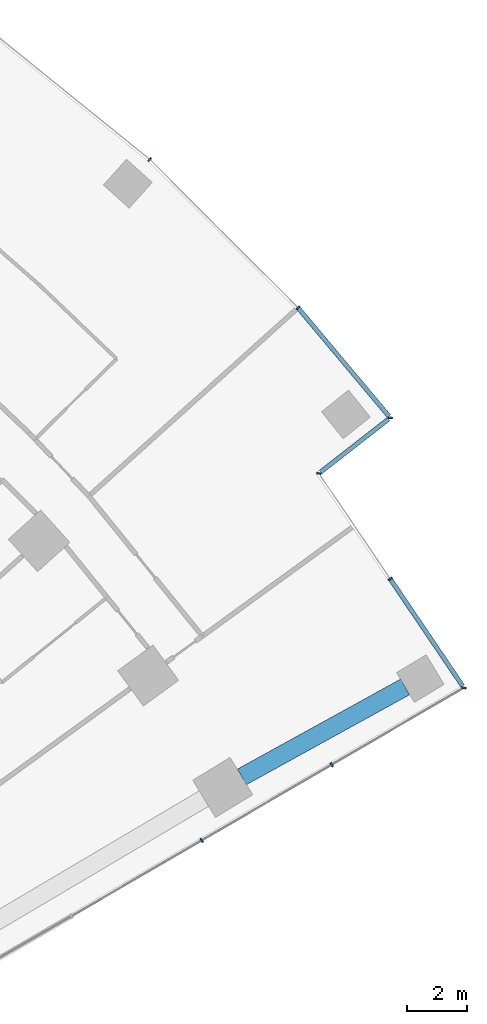
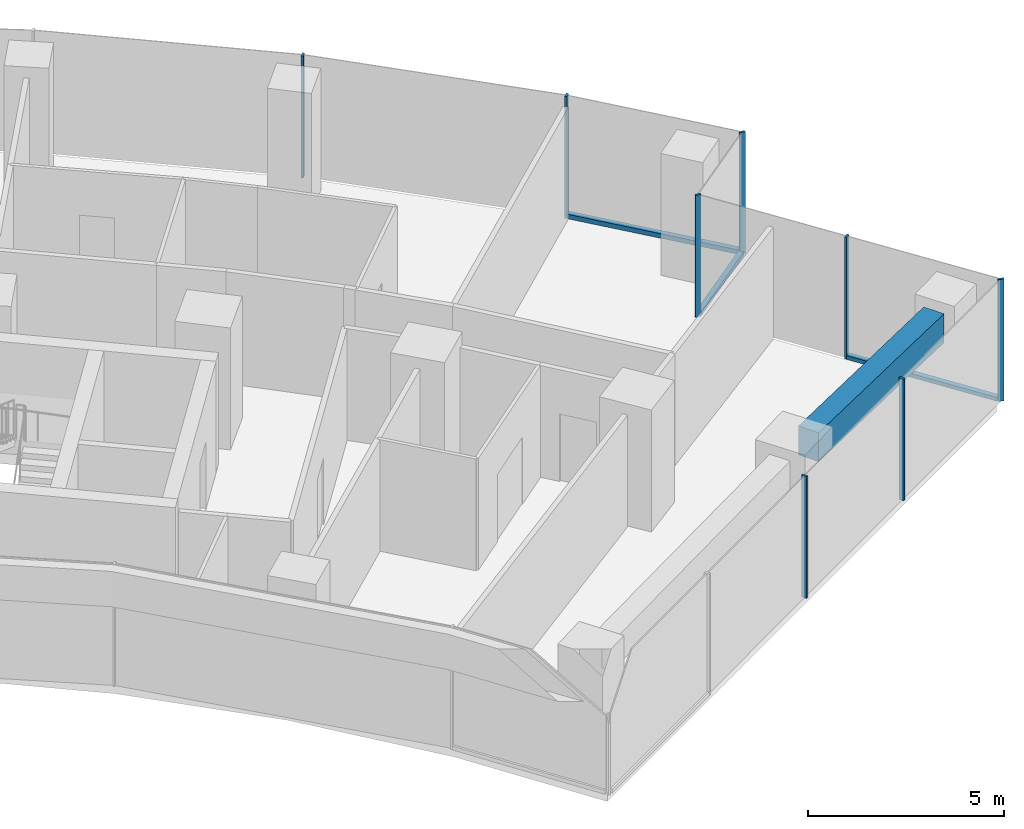
# One storey, part 10 of 21: 11 members, 1 beam, 4 elements without a shape of their own.
"""IFC4 building model written with IfcOpenShell, lengths in metres."""

from ifc_helpers import new_model, si_unit, direction, frame, origin, origin_2d, place, context, subcontext, project, spatial, rectangle, extrude, material, layer, layer_set, material_profile, profile_set, type_object, element, aggregate, save


model = new_model("IFC4")

# Units and contexts
model_context = context("Model", 3, precision=1e-05, world=origin(), true_north=direction((0.0, 1.0)))
body_context = subcontext(model_context, "Body", "Model", "MODEL_VIEW")
ifc_project = project(units=[si_unit("LENGTHUNIT", "METRE"), si_unit("AREAUNIT", "SQUARE_METRE"), si_unit("VOLUMEUNIT", "CUBIC_METRE"), si_unit("PLANEANGLEUNIT", "RADIAN"), si_unit("MASSUNIT", "GRAM", prefix="KILO")], contexts=[model_context])

# Site, building, storey
site_placement = place(None, origin())
site = spatial("IfcSite", under=ifc_project, at=site_placement, CompositionType="ELEMENT")
building_placement = place(site_placement, origin())
building = spatial("IfcBuilding", under=site, at=building_placement, Name="Stone Belt Terrace Tower", CompositionType="ELEMENT")
storey_placement = place(building_placement, frame((0.0, 0.0, 94.60009765625)))
storey = spatial("IfcBuildingStorey", under=building, at=storey_placement, Name="L22", CompositionType="ELEMENT", Elevation=94.60009765625)

# Curtain wall, members
ifc_material_1 = material(Name="Aluminium 6063-T6 anodised frame", Category="aluminium")
ifc_layer_1 = layer(ifc_material_1, 0.14990234375)
ifc_layer_set_1 = layer_set([ifc_layer_1], Name="CW-A unitised convex-face curtain wall")
curtain_wall_type_1 = type_object("IfcCurtainWallType", Name="CW-A unitised convex-face curtain wall", PredefinedType="NOTDEFINED", material=ifc_layer_set_1)
curtain_wall_1_placement = place(storey_placement, origin())
curtain_wall_1 = element("IfcCurtainWall", 1, at=curtain_wall_1_placement, inside=storey, type_object=curtain_wall_type_1, Name="CW-A convex face L22", PredefinedType="NOTDEFINED")
ifc_material_profile_1 = material_profile(ifc_material_1, rectangle(XDim=0.14990234375, YDim=0.06005859375, at=origin_2d()), Name="Aluminium 6063-T6 60x150")
ifc_profile_set_1 = profile_set([ifc_material_profile_1], Name="Aluminium 6063-T6 anodised frame")
member_type_1 = type_object("IfcMemberType", Name="CW-A mullion 60 x 150", PredefinedType="MULLION", material=ifc_profile_set_1)
member_1_placement = place(storey_placement, frame((52.539794921875, 40.89208984375, 0.0), z_axis=(0.0, 0.0, 1.0), x_axis=(-0.994464768622, 0.105070566623, 0.0)))
member_1 = element("IfcMember", 2, at=member_1_placement, type_object=member_type_1, Name="CW-A mullion 1", PredefinedType="MULLION", context=body_context, shape_type="SweptSolid", body=[
    extrude(rectangle(XDim=0.14990234375, YDim=0.06005859375, at=origin_2d()), origin(), (0.0, 0.0, 1.0), 3.7998046875),
])
member_2_placement = place(storey_placement, frame((49.474609375, 44.5478515625, 0.0), z_axis=(0.0, 0.0, 1.0), x_axis=(-0.737400080522, -0.675456231925, 0.0)))
member_2 = element("IfcMember", 3, at=member_2_placement, type_object=member_type_1, Name="CW-A mullion 2", PredefinedType="MULLION", context=body_context, shape_type="SweptSolid", body=[
    extrude(rectangle(XDim=0.14990234375, YDim=0.06005859375, at=origin_2d()), origin(), (0.0, 0.0, 1.0), 3.7998046875),
])
member_3_placement = place(storey_placement, frame((44.54736328125, 49.474853515625, 0.0), z_axis=(0.0, 0.0, 1.0), x_axis=(-0.669130606359, -0.743144825477, 0.0)))
member_3 = element("IfcMember", 4, at=member_3_placement, type_object=member_type_1, Name="CW-A mullion 3", PredefinedType="MULLION", context=body_context, shape_type="SweptSolid", body=[
    extrude(rectangle(XDim=0.14990234375, YDim=0.06005859375, at=origin_2d()), origin(), (0.0, 0.0, 1.0), 3.7998046875),
])
ifc_material_profile_2 = material_profile(ifc_material_1, rectangle(XDim=0.14990234375, YDim=0.139892578125, at=origin_2d()), Name="Aluminium 6063-T6 150x140")
ifc_profile_set_2 = profile_set([ifc_material_profile_2], Name="Aluminium 6063-T6 anodised frame")
member_type_2 = type_object("IfcMemberType", Name="CW-A transom 140 x 150", PredefinedType="USERDEFINED", material=ifc_profile_set_2)
member_4_placement = place(storey_placement, frame((52.49169921875, 40.949462890625, 0.06982421875), z_axis=(-0.642504178028, 0.766282181195, 0.0), x_axis=(-0.766282181195, -0.642504178028, 0.0)))
member_4 = element("IfcMember", 5, at=member_4_placement, type_object=member_type_2, Name="CW-A transom 1.1", ObjectType="TRANSOM", PredefinedType="USERDEFINED", context=body_context, shape_type="SweptSolid", body=[
    extrude(rectangle(XDim=0.14990234375, YDim=0.139892578125, at=origin_2d()), origin(), (0.0, 0.0, 1.0), 4.662841796875),
])
aggregate(curtain_wall_1, [member_1, member_2, member_3, member_4])

ifc_layer_2 = layer(ifc_material_1, 0.14990234375)
ifc_layer_set_2 = layer_set([ifc_layer_2], Name="CW-C stick curtain wall, horn ends and notches")
curtain_wall_type_2 = type_object("IfcCurtainWallType", Name="CW-C stick curtain wall, horn ends and notches", PredefinedType="NOTDEFINED", material=ifc_layer_set_2)
curtain_wall_2_placement = place(storey_placement, origin())
curtain_wall_2 = element("IfcCurtainWall", 6, at=curtain_wall_2_placement, inside=storey, type_object=curtain_wall_type_2, Name="CW-C end face L22", PredefinedType="NOTDEFINED")
ifc_material_profile_3 = material_profile(ifc_material_1, rectangle(XDim=0.14990234375, YDim=0.06005859375, at=origin_2d()), Name="Aluminium 6063-T6 60x150")
ifc_profile_set_3 = profile_set([ifc_material_profile_3], Name="Aluminium 6063-T6 anodised frame")
member_type_3 = type_object("IfcMemberType", Name="CW-C mullion 60 x 150", PredefinedType="MULLION", material=ifc_profile_set_3)
member_5_placement = place(storey_placement, frame((46.2744140625, 26.85009765625, 0.0), z_axis=(0.0, 0.0, 1.0), x_axis=(-0.503080901861, 0.864239322284, 0.0)))
member_5 = element("IfcMember", 7, at=member_5_placement, type_object=member_type_3, Name="CW-C mullion 3", PredefinedType="MULLION", context=body_context, shape_type="SweptSolid", body=[
    extrude(rectangle(XDim=0.14990234375, YDim=0.06005859375, at=origin_2d()), origin(), (0.0, 0.0, 1.0), 3.7998046875),
])
member_6_placement = place(storey_placement, frame((50.595703125, 29.365478515625, 0.0), z_axis=(0.0, 0.0, 1.0), x_axis=(-0.503080901861, 0.864239322284, 0.0)))
member_6 = element("IfcMember", 8, at=member_6_placement, type_object=member_type_3, Name="CW-C mullion 4", PredefinedType="MULLION", context=body_context, shape_type="SweptSolid", body=[
    extrude(rectangle(XDim=0.14990234375, YDim=0.06005859375, at=origin_2d()), origin(), (0.0, 0.0, 1.0), 3.7998046875),
])
aggregate(curtain_wall_2, [member_5, member_6])

curtain_wall_3_placement = place(storey_placement, origin())
curtain_wall_3 = element("IfcCurtainWall", 9, at=curtain_wall_3_placement, inside=storey, type_object=curtain_wall_type_2, Name="CW-C notch face L22", PredefinedType="NOTDEFINED")
member_7_placement = place(storey_placement, frame((54.986328125, 31.921142578125, 0.0), z_axis=(0.0, 0.0, 1.0), x_axis=(-0.974926991266, 0.222524968715, 0.0)))
member_7 = element("IfcMember", 10, at=member_7_placement, type_object=member_type_3, Name="CW-C mullion 1", PredefinedType="MULLION", context=body_context, shape_type="SweptSolid", body=[
    extrude(rectangle(XDim=0.14990234375, YDim=0.06005859375, at=origin_2d()), origin(), (0.0, 0.0, 1.0), 3.7998046875),
])
member_8_placement = place(storey_placement, frame((52.53515625, 35.5439453125, 0.0), z_axis=(0.0, 0.0, 1.0), x_axis=(-0.828244257471, -0.560367245622, 0.0)))
member_8 = element("IfcMember", 11, at=member_8_placement, type_object=member_type_3, Name="CW-C mullion 2", PredefinedType="MULLION", context=body_context, shape_type="SweptSolid", body=[
    extrude(rectangle(XDim=0.14990234375, YDim=0.06005859375, at=origin_2d()), origin(), (0.0, 0.0, 1.0), 3.7998046875),
])

# Curtain wall, member
curtain_wall_4_placement = place(storey_placement, origin())
curtain_wall_4 = element("IfcCurtainWall", 12, at=curtain_wall_4_placement, inside=storey, type_object=curtain_wall_type_2, Name="CW-C notch face L22", PredefinedType="NOTDEFINED")
member_9_placement = place(storey_placement, frame((50.16845703125, 39.0419921875, 0.0), z_axis=(0.0, 0.0, 1.0), x_axis=(-0.987742281651, 0.156093513764, 0.0)))
member_9 = element("IfcMember", 13, at=member_9_placement, type_object=member_type_3, Name="CW-C mullion 1", PredefinedType="MULLION", context=body_context, shape_type="SweptSolid", body=[
    extrude(rectangle(XDim=0.14990234375, YDim=0.06005859375, at=origin_2d()), origin(), (0.0, 0.0, 1.0), 3.7998046875),
])

# Member
ifc_material_profile_4 = material_profile(ifc_material_1, rectangle(XDim=0.14990234375, YDim=0.1201171875, at=origin_2d()), Name="Aluminium 6063-T6 150x120")
ifc_profile_set_4 = profile_set([ifc_material_profile_4], Name="Aluminium 6063-T6 anodised frame")
member_type_4 = type_object("IfcMemberType", Name="CW-C transom 120 x 150", PredefinedType="USERDEFINED", material=ifc_profile_set_4)
member_10_placement = place(storey_placement, frame((54.944091796875, 31.983642578125, 0.059814453125), z_axis=(-0.560388995766, 0.828229541507, 0.0), x_axis=(-0.828229541507, -0.560388995766, 0.0)))
member_10 = element("IfcMember", 14, at=member_10_placement, type_object=member_type_4, Name="CW-C transom 1.1", ObjectType="TRANSOM", PredefinedType="USERDEFINED", context=body_context, shape_type="SweptSolid", body=[
    extrude(rectangle(XDim=0.14990234375, YDim=0.1201171875, at=origin_2d()), origin(), (0.0, 0.0, 1.0), 4.2685546875),
])

aggregate(curtain_wall_3, [member_7, member_8, member_10])

member_11_placement = place(storey_placement, frame((50.22607421875, 39.087158203125, 0.059814453125), z_axis=(0.788505618167, 0.615027552325, 0.0), x_axis=(-0.615027552325, 0.788505618167, 0.0)))
member_11 = element("IfcMember", 15, at=member_11_placement, type_object=member_type_4, Name="CW-C transom 1.1", ObjectType="TRANSOM", PredefinedType="USERDEFINED", context=body_context, shape_type="SweptSolid", body=[
    extrude(rectangle(XDim=0.14990234375, YDim=0.1201171875, at=origin_2d()), origin(), (0.0, 0.0, 1.0), 2.859619140625),
])

aggregate(curtain_wall_4, [member_9, member_11])

# Beam
ifc_material_2 = material(Name="Concrete B60", Category="concrete")
ifc_material_profile_5 = material_profile(ifc_material_2, rectangle(XDim=0.60009765625, YDim=0.89990234375, at=origin_2d()), Name="RC 600x900")
ifc_profile_set_5 = profile_set([ifc_material_profile_5], Name="Concrete B60")
beam_type = type_object("IfcBeamType", Name="Edge beam RC 600x900 B60", PredefinedType="SPANDREL", material=ifc_profile_set_5)
beam_placement = place(storey_placement, frame((47.6083984375, 28.960693359375, 3.02978515625), z_axis=(0.875764462498, 0.482738652094, 0.0), x_axis=(-0.482738652094, 0.875764462498, 0.0)))
element("IfcBeam", 16, at=beam_placement, inside=storey, type_object=beam_type, Name="Edge beam L22 B Q to R", PredefinedType="SPANDREL", context=body_context, shape_type="SweptSolid", body=[
    extrude(rectangle(XDim=0.60009765625, YDim=0.89990234375, at=origin_2d()), origin(), (0.0, 0.0, 1.0), 6.19384765625),
])

save(model, "model.ifc")
